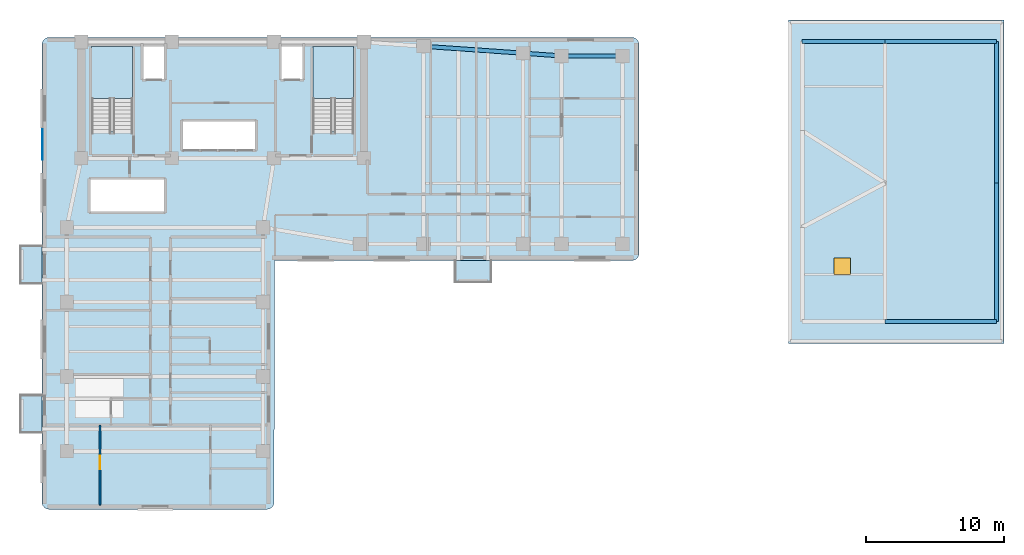
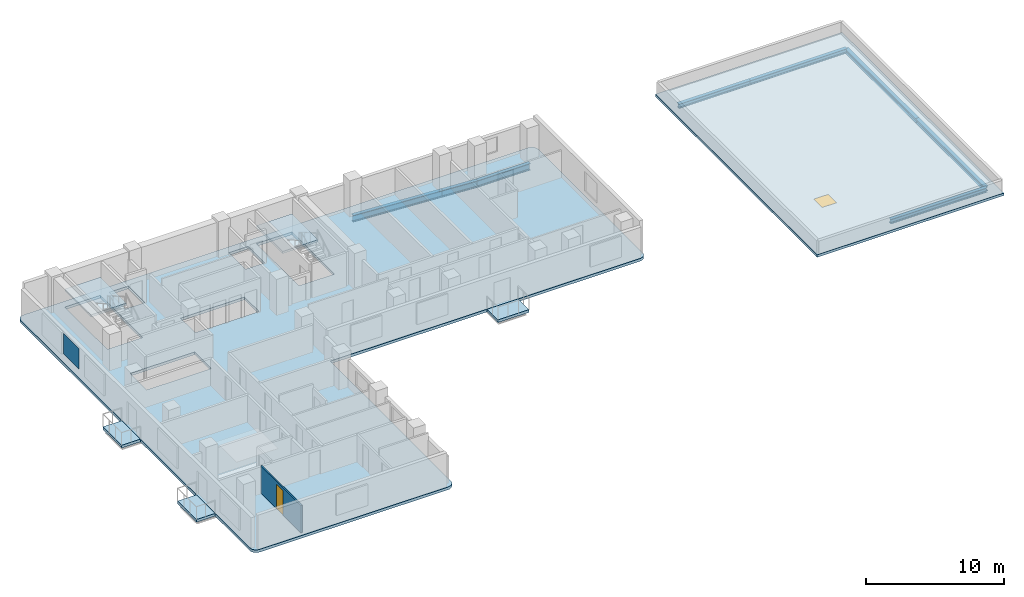
# One storey, part 2 of 8: 8 beams, 7 slabs, 1 door, 1 plate, 1 wall, 1 window, 2 openings, 2 elements without a shape of their own.
"""IFC4 building model written with IfcOpenShell, lengths in metres."""

from ifc_helpers import new_model, si_unit, direction, frame, frame_2d, origin, origin_2d, place, context, subcontext, project, spatial, polyline, rectangle, i_section, outline, extrude, material, layer, layer_set, material_profile, profile_set, type_object, element, fill, aggregate, save


model = new_model("IFC4")

# Units and contexts
model_context = context("Model", 3, precision=1e-05, world=origin(), true_north=direction((0.0, 1.0)))
body_context = subcontext(model_context, "Body", "Model", "MODEL_VIEW")
ifc_project = project(units=[si_unit("LENGTHUNIT", "METRE"), si_unit("AREAUNIT", "SQUARE_METRE"), si_unit("VOLUMEUNIT", "CUBIC_METRE"), si_unit("PLANEANGLEUNIT", "RADIAN"), si_unit("MASSUNIT", "GRAM", prefix="KILO")], contexts=[model_context])

# Site, building, storey
site_placement = place(None, origin())
site = spatial("IfcSite", under=ifc_project, at=site_placement, CompositionType="ELEMENT")
building_placement = place(site_placement, origin())
building = spatial("IfcBuilding", under=site, at=building_placement, Name="Kuzgunbayir Cultural Tower", CompositionType="ELEMENT")
storey_placement = place(building_placement, frame((0.0, 0.0, 107.39990234375)))
storey = spatial("IfcBuildingStorey", under=building, at=storey_placement, Name="L30", CompositionType="ELEMENT", Elevation=107.39990234375)

# Beams
ifc_material_1 = material(Name="Steel S355J2", Category="steel")
ifc_material_profile_1 = material_profile(ifc_material_1, i_section(OverallWidth=0.300048828125, OverallDepth=0.60009765625, WebThickness=0.015380859375, FlangeThickness=0.030029296875, FilletRadius=0.027099609375, at=origin_2d()), Name="HEB 600")
ifc_profile_set_1 = profile_set([ifc_material_profile_1], Name="Steel S355J2")
beam_type_1 = type_object("IfcBeamType", Name="BM-EXT-HEB600", PredefinedType="BEAM", material=ifc_profile_set_1)
beam_1_placement = place(storey_placement, frame((31.199951171875, 41.89990234375, -0.539794921875), z_axis=(0.997597388498, -0.069278066245, 0.0), x_axis=(0.069278066245, 0.997597388498, 0.0)))
element("IfcBeam", 1, at=beam_1_placement, inside=storey, type_object=beam_type_1, Name="L30 Wing B North Girder 2", PredefinedType="BEAM", context=body_context, shape_type="SweptSolid", body=[
    extrude(i_section(OverallWidth=0.300048828125, OverallDepth=0.60009765625, WebThickness=0.015380859375, FlangeThickness=0.030029296875, FilletRadius=0.027099609375, at=origin_2d()), origin(), (0.0, 0.0, 1.0), 7.21728515625),
])
beam_2_placement = place(storey_placement, frame((38.39990234375, 41.39990234375, -0.539794921875), z_axis=(0.997460024076, -0.071228508128, 0.0), x_axis=(0.071228508128, 0.997460024076, 0.0)))
element("IfcBeam", 2, at=beam_2_placement, inside=storey, type_object=beam_type_1, Name="L30 Wing B North Girder 3", PredefinedType="BEAM", context=body_context, shape_type="SweptSolid", body=[
    extrude(i_section(OverallWidth=0.300048828125, OverallDepth=0.60009765625, WebThickness=0.015380859375, FlangeThickness=0.030029296875, FilletRadius=0.027099609375, at=origin_2d()), origin(), (0.0, 0.0, 1.0), 2.80712890625),
])
beam_3_placement = place(storey_placement, frame((41.199951171875, 41.199951171875, -0.539794921875), z_axis=(1.0, 0.0, 0.0), x_axis=(0.0, 1.0, 0.0)))
element("IfcBeam", 3, at=beam_3_placement, inside=storey, type_object=beam_type_1, Name="L30 Wing B North Girder 4", PredefinedType="BEAM", context=body_context, shape_type="SweptSolid", body=[
    extrude(i_section(OverallWidth=0.300048828125, OverallDepth=0.60009765625, WebThickness=0.015380859375, FlangeThickness=0.030029296875, FilletRadius=0.027099609375, at=origin_2d()), origin(), (0.0, 0.0, 1.0), 4.400146484375),
])
ifc_material_profile_2 = material_profile(ifc_material_1, i_section(OverallWidth=0.300048828125, OverallDepth=0.39990234375, WebThickness=0.013427734375, FlangeThickness=0.02392578125, FilletRadius=0.027099609375, at=origin_2d()), Name="HEB 400")
ifc_profile_set_2 = profile_set([ifc_material_profile_2], Name="Steel S355J2")
beam_type_2 = type_object("IfcBeamType", Name="BM-GIR-HEB400", PredefinedType="BEAM", material=ifc_profile_set_2)
beam_4_placement = place(storey_placement, frame((58.60009765625, 42.25, -0.419921875), z_axis=(1.0, 0.0, 0.0), x_axis=(0.0, 1.0, 0.0)))
element("IfcBeam", 4, at=beam_4_placement, inside=storey, type_object=beam_type_2, Name="L30 Companion Transverse Girder 4", PredefinedType="BEAM", context=body_context, shape_type="SweptSolid", body=[
    extrude(i_section(OverallWidth=0.300048828125, OverallDepth=0.39990234375, WebThickness=0.013427734375, FlangeThickness=0.02392578125, FilletRadius=0.027099609375, at=origin_2d()), origin(), (0.0, 0.0, 1.0), 6.0),
])
beam_5_placement = place(storey_placement, frame((72.64990234375, 22.0, -0.419921875), z_axis=(0.0, 1.0, 0.0), x_axis=(-1.0, 0.0, 0.0)))
element("IfcBeam", 5, at=beam_5_placement, inside=storey, type_object=beam_type_2, Name="L30 Companion Core East Girder 1", PredefinedType="BEAM", context=body_context, shape_type="SweptSolid", body=[
    extrude(i_section(OverallWidth=0.300048828125, OverallDepth=0.39990234375, WebThickness=0.013427734375, FlangeThickness=0.02392578125, FilletRadius=0.027099609375, at=origin_2d()), origin(), (0.0, 0.0, 1.0), 10.0),
])
beam_6_placement = place(storey_placement, frame((72.64990234375, 32.0, -0.419921875), z_axis=(0.0, 1.0, 0.0), x_axis=(-1.0, 0.0, 0.0)))
element("IfcBeam", 6, at=beam_6_placement, inside=storey, type_object=beam_type_2, Name="L30 Companion Core East Girder 2", PredefinedType="BEAM", context=body_context, shape_type="SweptSolid", body=[
    extrude(i_section(OverallWidth=0.300048828125, OverallDepth=0.39990234375, WebThickness=0.013427734375, FlangeThickness=0.02392578125, FilletRadius=0.027099609375, at=origin_2d()), origin(), (0.0, 0.0, 1.0), 10.25),
])
for number, where, z_axis, x_axis, name in (
    (7, (64.60009765625, 22.0, -0.419921875), (1.0, 0.0, 0.0), (0.0, 1.0, 0.0), "L30 Companion Core South Girder"),
    (8, (64.60009765625, 42.25, -0.419921875), (1.0, 0.0, 0.0), (0.0, 1.0, 0.0), "L30 Companion Core North Girder"),
):
    element("IfcBeam", number, at=place(storey_placement, frame(where, z_axis=z_axis, x_axis=x_axis)), inside=storey, type_object=beam_type_2, Name=name, PredefinedType="BEAM", context=body_context, shape_type="SweptSolid", body=[
        extrude(i_section(OverallWidth=0.300048828125, OverallDepth=0.39990234375, WebThickness=0.013427734375, FlangeThickness=0.02392578125, FilletRadius=0.027099609375, at=origin_2d()), origin(), (0.0, 0.0, 1.0), 8.0498046875),
    ])

# Plate
ifc_material_2 = material(Name="Perforated Bronze-Anodised Aluminium", Category="aluminium")
ifc_layer_1 = layer(ifc_material_2, 0.02392578125)
ifc_layer_set_1 = layer_set([ifc_layer_1], Name="Perforated Bronze-Anodised Aluminium")
plate_type = type_object("IfcPlateType", Name="PLT-SOLAR-SCREEN-14", PredefinedType="SHEET", material=ifc_layer_set_1)
plate_placement = place(storey_placement, frame((3.639892578125, 34.800048828125, 0.75), z_axis=(0.0, 0.0, 1.0), x_axis=(1.0, 0.0, 0.0)))
element("IfcPlate", 9, at=plate_placement, inside=storey, type_object=plate_type, Name="L30 Tower 1 Perforated Ceramic Solar Screen Panel", PredefinedType="SHEET", context=body_context, shape_type="SweptSolid", body=[
    extrude(rectangle(XDim=0.02392578125, YDim=2.199951171875, at=origin_2d()), origin(), (0.0, 0.0, 1.0), 1.800048828125),
])

# Slabs
ifc_material_3 = material(Name="Concrete C40/50", Category="concrete")
ifc_layer_2 = layer(ifc_material_3, 0.239990234375)
ifc_layer_set_2 = layer_set([ifc_layer_2], Name="Concrete C40/50")
slab_type_1 = type_object("IfcSlabType", Name="SLB-BAL-TRN", PredefinedType="FLOOR", material=ifc_layer_set_2)
slab_1_placement = place(storey_placement, frame((0.0, 0.0, -0.239990234375)))
element("IfcSlab", 10, at=slab_1_placement, inside=storey, type_object=slab_type_1, Name="L30 Projecting Limestone Balcony BAL-L30-WA1", PredefinedType="FLOOR", context=body_context, shape_type="SweptSolid", body=[
    extrude(outline(polyline([(2.0400390625, 13.949951171875), (3.60009765625, 13.949951171875), (3.60009765625, 16.64990234375), (2.0400390625, 16.64990234375), (2.0400390625, 13.949951171875)])), origin(), (0.0, 0.0, 1.0), 0.239990234375),
])
slab_2_placement = place(storey_placement, frame((0.0, 0.0, -0.239990234375)))
element("IfcSlab", 11, at=slab_2_placement, inside=storey, type_object=slab_type_1, Name="L30 Projecting Limestone Balcony BAL-L30-WA3", PredefinedType="FLOOR", context=body_context, shape_type="SweptSolid", body=[
    extrude(outline(polyline([(2.0400390625, 24.75), (3.60009765625, 24.75), (3.60009765625, 27.449951171875), (2.0400390625, 27.449951171875), (2.0400390625, 24.75)])), origin(), (0.0, 0.0, 1.0), 0.239990234375),
])
slab_3_placement = place(storey_placement, frame((0.0, 0.0, -0.239990234375)))
element("IfcSlab", 12, at=slab_3_placement, inside=storey, type_object=slab_type_1, Name="L30 Projecting Limestone Balcony BAL-L30-WB2", PredefinedType="FLOOR", context=body_context, shape_type="SweptSolid", body=[
    extrude(outline(polyline([(33.5, 24.840087890625), (36.10009765625, 24.840087890625), (36.10009765625, 26.39990234375), (33.5, 26.39990234375), (33.5, 24.840087890625)])), origin(), (0.0, 0.0, 1.0), 0.239990234375),
])

# Stair, slab
stair_type = type_object("IfcStairType", Name="STR-EXIT-CORE", PredefinedType="HALF_TURN_STAIR", material=ifc_material_3)
stair_1_placement = place(storey_placement, origin())
stair_1 = element("IfcStair", 13, at=stair_1_placement, inside=storey, type_object=stair_type, Name="L30 ST-1", PredefinedType="HALF_TURN_STAIR")
ifc_layer_3 = layer(ifc_material_3, 0.179931640625)
ifc_layer_set_3 = layer_set([ifc_layer_3], Name="Concrete C40/50")
slab_type_2 = type_object("IfcSlabType", Name="SLB-LANDING-180", PredefinedType="LANDING", material=ifc_layer_set_3)
slab_4_placement = place(storey_placement, frame((0.0, 0.0, 1.400146484375)))
slab_4 = element("IfcSlab", 14, at=slab_4_placement, type_object=slab_type_2, Name="ST-1 landing 1", PredefinedType="LANDING", context=body_context, shape_type="SweptSolid", body=[
    extrude(outline(polyline([(10.159912109375, 38.1201171875), (10.159912109375, 41.89990234375), (7.199951171875, 41.89990234375), (7.199951171875, 38.1201171875), (10.159912109375, 38.1201171875)])), origin(), (0.0, 0.0, 1.0), 0.199951171875),
])
aggregate(stair_1, [slab_4])

stair_2_placement = place(storey_placement, origin())
stair_2 = element("IfcStair", 15, at=stair_2_placement, inside=storey, type_object=stair_type, Name="L30 ST-2", PredefinedType="HALF_TURN_STAIR")
slab_5_placement = place(storey_placement, frame((0.0, 0.0, 1.400146484375)))
slab_5 = element("IfcSlab", 16, at=slab_5_placement, type_object=slab_type_2, Name="ST-2 landing 1", PredefinedType="LANDING", context=body_context, shape_type="SweptSolid", body=[
    extrude(outline(polyline([(26.159912109375, 38.1201171875), (26.159912109375, 41.89990234375), (23.199951171875, 41.89990234375), (23.199951171875, 38.1201171875), (26.159912109375, 38.1201171875)])), origin(), (0.0, 0.0, 1.0), 0.199951171875),
])
aggregate(stair_2, [slab_5])

# Slab, opening, window
ifc_layer_4 = layer(ifc_material_3, 0.219970703125)
ifc_layer_set_4 = layer_set([ifc_layer_4], Name="Concrete C40/50")
slab_type_3 = type_object("IfcSlabType", Name="SLB-ROOF-COMP-220", PredefinedType="ROOF", material=ifc_layer_set_4)
slab_6_placement = place(storey_placement, frame((0.0, 0.0, -0.219970703125)))
slab_6 = element("IfcSlab", 17, at=slab_6_placement, inside=storey, type_object=slab_type_3, Name="Companion Tower 2 Flat Roof Deck", PredefinedType="ROOF", context=body_context, shape_type="SweptSolid", body=[
    extrude(outline(polyline([(57.60009765625, 20.39990234375), (73.199951171875, 20.39990234375), (73.199951171875, 43.800048828125), (57.60009765625, 43.800048828125), (57.60009765625, 20.39990234375)])), origin(), (0.0, 0.0, 1.0), 0.219970703125),
])
opening_1_placement = place(slab_6_placement, frame((61.5, 26.0, 0.0)))
opening_1 = element("IfcOpeningElement", 18, at=opening_1_placement, cuts=slab_6, Name="Opening RH-12", PredefinedType="OPENING", context=body_context, shape_type="SweptSolid", body=[
    extrude(rectangle(XDim=1.199951171875, YDim=1.199951171875, at=origin_2d()), origin(), (0.0, 0.0, 1.0), 0.219970703125),
])
ifc_material_4 = material(Name="Solar-Control Triple Glazing", Category="glass")
window_type = type_object("IfcWindowType", Name="WIN-HATCH-5", PartitioningType="SINGLE_PANEL", PredefinedType="SKYLIGHT", material=ifc_material_4)
window_placement = place(opening_1_placement, frame((0.0, 0.0, 0.169921875)))
window = element("IfcWindow", 19, at=window_placement, inside=storey, type_object=window_type, Name="L30 Maintenance Roof Access Hatch 2", OverallHeight=1.199951171875, OverallWidth=1.199951171875, PartitioningType="SINGLE_PANEL", PredefinedType="SKYLIGHT", context=body_context, shape_type="SweptSolid", body=[
    extrude(rectangle(XDim=1.199951171875, YDim=1.199951171875, at=origin_2d()), origin(), (0.0, 0.0, 1.0), 0.050048828125),
])
fill(opening_1, window)

# Slab
ifc_layer_5 = layer(ifc_material_3, 0.239990234375)
ifc_layer_set_5 = layer_set([ifc_layer_5], Name="Concrete C40/50")
slab_type_4 = type_object("IfcSlabType", Name="SLB-TRN-240", PredefinedType="FLOOR", material=ifc_layer_set_5)
slab_7_placement = place(storey_placement, frame((0.0, 0.0, -0.239990234375)))
element("IfcSlab", 20, at=slab_7_placement, inside=storey, type_object=slab_type_4, Name="L30 Tower 1 Floor Slab T1-MAIN", PredefinedType="FLOOR", context=body_context, shape_type="SweptSolid", body=[
    extrude(outline(polyline([(20.39990234375, 8.949951171875), (20.389892578125, 8.840087890625), (20.360107421875, 8.739990234375), (20.31005859375, 8.639892578125), (20.239990234375, 8.56005859375), (20.159912109375, 8.489990234375), (20.06005859375, 8.43994140625), (19.9599609375, 8.409912109375), (19.85009765625, 8.39990234375), (4.14990234375, 8.39990234375), (4.0400390625, 8.409912109375), (3.93994140625, 8.43994140625), (3.840087890625, 8.489990234375), (3.760009765625, 8.56005859375), (3.68994140625, 8.639892578125), (3.639892578125, 8.739990234375), (3.610107421875, 8.840087890625), (3.60009765625, 8.949951171875), (3.60009765625, 42.0), (3.610107421875, 42.110107421875), (3.639892578125, 42.2099609375), (3.68994140625, 42.31005859375), (3.760009765625, 42.389892578125), (3.840087890625, 42.4599609375), (3.93994140625, 42.510009765625), (4.0400390625, 42.5400390625), (4.14990234375, 42.550048828125), (46.25, 42.550048828125), (46.360107421875, 42.5400390625), (46.4599609375, 42.510009765625), (46.56005859375, 42.4599609375), (46.639892578125, 42.389892578125), (46.7099609375, 42.31005859375), (46.760009765625, 42.2099609375), (46.7900390625, 42.110107421875), (46.800048828125, 42.0), (46.800048828125, 26.949951171875), (46.7900390625, 26.840087890625), (46.760009765625, 26.739990234375), (46.7099609375, 26.639892578125), (46.639892578125, 26.56005859375), (46.56005859375, 26.489990234375), (46.4599609375, 26.43994140625), (46.360107421875, 26.409912109375), (46.25, 26.39990234375), (20.429931640625, 26.39990234375), (20.39990234375, 8.949951171875)]), holes=[polyline([(7.199951171875, 35.760009765625), (7.199951171875, 41.89990234375), (10.159912109375, 41.89990234375), (10.159912109375, 35.760009765625), (7.199951171875, 35.760009765625)]), polyline([(23.199951171875, 35.760009765625), (23.199951171875, 41.89990234375), (26.159912109375, 41.89990234375), (26.159912109375, 35.760009765625), (23.199951171875, 35.760009765625)]), polyline([(13.75, 34.39990234375), (13.75, 36.5), (19.080078125, 36.5), (19.080078125, 34.39990234375), (13.75, 34.39990234375)]), polyline([(7.10009765625, 29.89990234375), (7.10009765625, 32.300048828125), (12.5, 32.300048828125), (12.5, 29.89990234375), (7.10009765625, 29.89990234375)]), polyline([(10.89990234375, 39.5), (10.89990234375, 41.89990234375), (12.5, 41.89990234375), (12.5, 39.5), (10.89990234375, 39.5)]), polyline([(20.89990234375, 39.5), (20.89990234375, 41.89990234375), (22.5, 41.89990234375), (22.5, 39.5), (20.89990234375, 39.5)])]), origin(), (0.0, 0.0, 1.0), 0.239990234375),
])

# Wall, opening, door
ifc_material_5 = material(Name="Framed Gypsum Partition", Category="gypsum")
ifc_layer_6 = layer(ifc_material_5, 0.1201171875)
ifc_layer_set_6 = layer_set([ifc_layer_6], Name="Framed Gypsum Partition")
wall_type = type_object("IfcWallType", Name="WAL-PART-INT-120", PredefinedType="PARTITIONING", material=ifc_layer_set_6)
wall_placement = place(storey_placement, frame((7.800048828125, 8.699951171875, 0.0), z_axis=(0.0, 0.0, 1.0), x_axis=(0.0, 1.0, 0.0)))
wall = element("IfcWall", 21, at=wall_placement, inside=storey, type_object=wall_type, Name="L30 Diplomatic Suite Bedroom Wall", PredefinedType="PARTITIONING", context=body_context, shape_type="SweptSolid", body=[
    extrude(rectangle(XDim=5.800048828125, YDim=0.1201171875, at=frame_2d((2.89990234375, 0.0))), origin(), (0.0, 0.0, 1.0), 2.41015625),
])
opening_2_placement = place(wall_placement, frame((2.610107421875, 0.0, 0.0)))
opening_2 = element("IfcOpeningElement", 22, at=opening_2_placement, cuts=wall, Name="Opening DI-90", PredefinedType="OPENING", context=body_context, shape_type="SweptSolid", body=[
    extrude(rectangle(XDim=0.949951171875, YDim=2.14990234375, at=frame_2d((0.47509765625, 1.074951171875))), frame((0.0, 0.070068359375, 0.0), z_axis=(0.0, -1.0, 0.0), x_axis=(1.0, 0.0, 0.0)), (0.0, 0.0, 1.0), 0.14013671875),
])
ifc_material_6 = material(Name="Veneered Oak Single Leaf", Category="wood")
door_type = type_object("IfcDoorType", Name="DR-INT-90", OperationType="NOTDEFINED", PredefinedType="DOOR", material=ifc_material_6)
door_placement = place(opening_2_placement, origin())
door = element("IfcDoor", 23, at=door_placement, inside=storey, type_object=door_type, Name="L30 Diplomatic Bedroom Door", OperationType="SINGLE_SWING_LEFT", OverallHeight=2.14990234375, OverallWidth=0.949951171875, PredefinedType="DOOR", context=body_context, shape_type="SweptSolid", body=[
    extrude(rectangle(XDim=0.949951171875, YDim=2.14990234375, at=frame_2d((0.47509765625, 1.074951171875))), frame((0.0, 0.02490234375, 0.0), z_axis=(0.0, -1.0, 0.0), x_axis=(1.0, 0.0, 0.0)), (0.0, 0.0, 1.0), 0.050048828125),
])
fill(opening_2, door)

save(model, "model.ifc")
